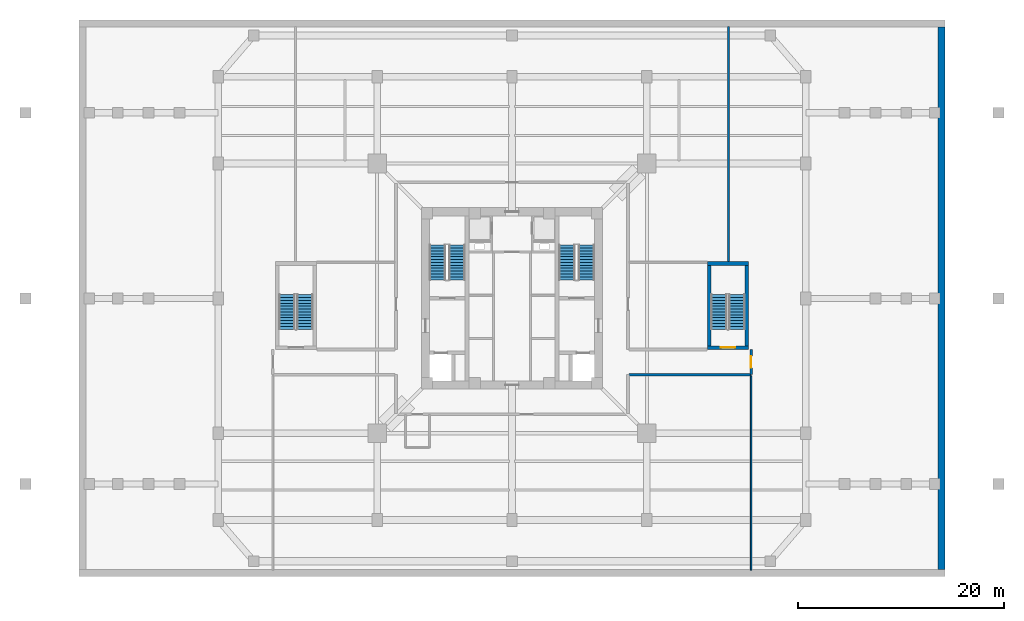
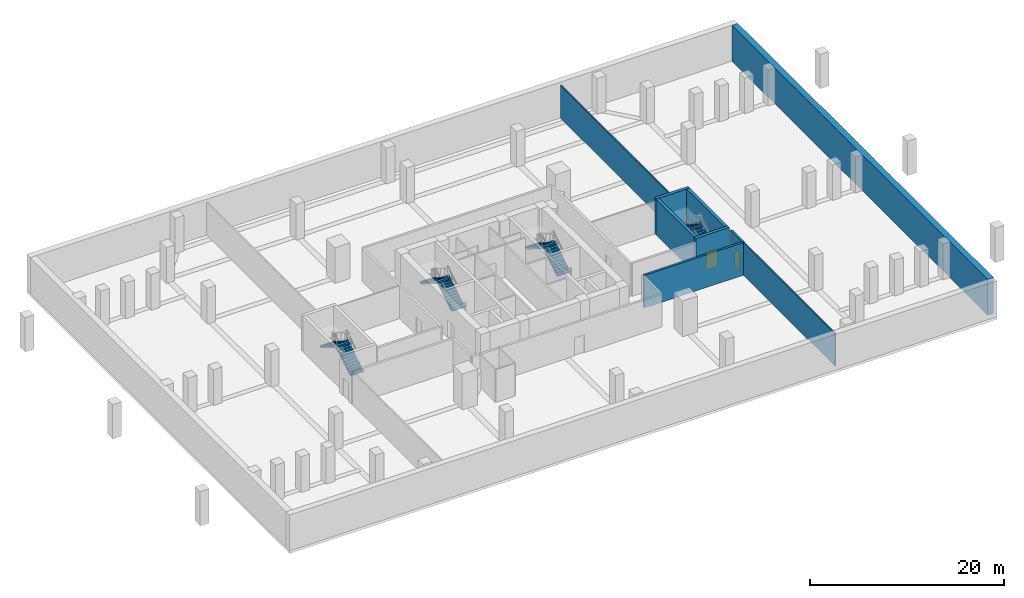
# One storey, part 5 of 9: 9 walls, 8 stair flights, 2 doors, 2 openings, 4 elements without a shape of their own.
"""IFC4 building model written with IfcOpenShell, lengths in metres."""

import ifcopenshell
import ifcopenshell.guid

model = None  # the IFC model being written
_history = None  # IfcOwnerHistory: only IFC2X3 demands one
_inside = {}  # id of a spatial element -> (the spatial element, [elements in it])
_under = {}  # id of a project, library or spatial element -> (it, [spatial elements below it])
_declared = {}  # id of a project -> (the project, [libraries it declares])
_typed = {}  # id of a type object -> (the type object, [elements of that type])
_made_of = {}  # id of a material, layer set ... -> (it, [elements and type objects made of it])


def new_model(schema):
    """Start an empty IFC model of exactly this schema.

    Asked for "IFC4X3", IfcOpenShell would pick the latest addendum, in which some entities
    have other attributes; the version numbers below select the first issue.
    IFC2X3 requires an IfcOwnerHistory on every rooted entity: one is made here for all.
    """
    global model, _history
    if schema == "IFC4X3":
        model = ifcopenshell.file(schema_version=(4, 3, 0, 0))
    else:
        model = ifcopenshell.file(schema=schema)
    _inside.clear()
    _under.clear()
    _declared.clear()
    _typed.clear()
    _made_of.clear()
    _history = None
    if model.schema == "IFC2X3":
        org = make("IfcOrganization", Name="unknown")
        user = make(
            "IfcPersonAndOrganization",
            ThePerson=make("IfcPerson", FamilyName="unknown"),
            TheOrganization=org,
        )
        app = make(
            "IfcApplication",
            ApplicationDeveloper=org,
            Version="unknown",
            ApplicationFullName="unknown",
            ApplicationIdentifier="unknown",
        )
        _history = make(
            "IfcOwnerHistory",
            OwningUser=user,
            OwningApplication=app,
            ChangeAction="ADDED",
            CreationDate=0,
        )
    return model


def make(cls, **values):
    """One entity of the class cls with the attributes given. An attribute that is None is left unset."""
    return model.create_entity(
        cls, **{name: value for name, value in values.items() if value is not None}
    )


def rooted(cls, **values):
    """An entity with a GlobalId (a new one), such as an element, a storey or a relation."""
    return make(cls, GlobalId=ifcopenshell.guid.new(), OwnerHistory=_history, **values)


def si_unit(unit_type, name, prefix=None):
    """IfcSIUnit, for example si_unit("LENGTHUNIT", "METRE", prefix="MILLI")."""
    return make("IfcSIUnit", UnitType=unit_type, Prefix=prefix, Name=name)


def assignment(units):
    """IfcUnitAssignment: the units of a project."""
    return None if units is None else make("IfcUnitAssignment", Units=units)


def point(xyz):
    """IfcCartesianPoint."""
    return None if xyz is None else make("IfcCartesianPoint", Coordinates=xyz)


def direction(xyz):
    """IfcDirection."""
    return None if xyz is None else make("IfcDirection", DirectionRatios=xyz)


def frame(location, z_axis=None, x_axis=None):
    """IfcAxis2Placement3D, a coordinate frame: its origin and axes. An axis left out is left unset."""
    return make(
        "IfcAxis2Placement3D",
        Location=point(location),
        Axis=direction(z_axis),
        RefDirection=direction(x_axis),
    )


def frame_2d(location, x_axis=None):
    """IfcAxis2Placement2D, a coordinate frame in the plane: its origin and x axis."""
    return make(
        "IfcAxis2Placement2D", Location=point(location), RefDirection=direction(x_axis)
    )


def origin():
    """The frame at (0, 0, 0) with its axes left unset."""
    return frame((0.0, 0.0, 0.0))


def place(relative_to, where):
    """IfcLocalPlacement: puts the frame where relative to a parent placement (None: the world)."""
    return make(
        "IfcLocalPlacement", PlacementRelTo=relative_to, RelativePlacement=where
    )


def context(
    kind, dimensions, precision=None, world=None, true_north=None, identifier=None
):
    """IfcGeometricRepresentationContext, for example the 3D "Model" context."""
    return make(
        "IfcGeometricRepresentationContext",
        ContextIdentifier=identifier,
        ContextType=kind,
        CoordinateSpaceDimension=dimensions,
        Precision=precision,
        WorldCoordinateSystem=world,
        TrueNorth=true_north,
    )


def subcontext(parent, identifier, kind, view, scale=None):
    """IfcGeometricRepresentationSubContext, for example "Body" below "Model"."""
    return make(
        "IfcGeometricRepresentationSubContext",
        ContextIdentifier=identifier,
        ContextType=kind,
        ParentContext=parent,
        TargetScale=scale,
        TargetView=view,
    )


def project(units=None, contexts=None):
    """IfcProject with its units and contexts."""
    return rooted(
        "IfcProject",
        Name="project",
        RepresentationContexts=contexts,
        UnitsInContext=assignment(units),
    )


def spatial(cls, under=None, at=None, **own):
    """A site, building, storey or space (cls), placed at a placement, below another one or the project."""
    s = rooted(cls, ObjectPlacement=at, **own)
    if under is not None:
        _under.setdefault(under.id(), (under, []))[1].append(s)
    return s


def polyline(points):
    """IfcPolyline through the points."""
    return make("IfcPolyline", Points=[point(p) for p in points])


def profile(cls, at=None, kind="AREA", **sizes):
    """A parametric profile (cls). Its sizes go by their IFC names, for example OverallWidth=200.0."""
    return make(cls, ProfileType=kind, Position=at, **sizes)


def rectangle(**sizes):
    """IfcRectangleProfileDef."""
    return profile("IfcRectangleProfileDef", **sizes)


def outline(outer, holes=None, kind="AREA"):
    """IfcArbitraryClosedProfileDef: a profile drawn as a closed curve; with holes, ...WithVoids."""
    if holes is None:
        return make("IfcArbitraryClosedProfileDef", ProfileType=kind, OuterCurve=outer)
    return make(
        "IfcArbitraryProfileDefWithVoids",
        ProfileType=kind,
        OuterCurve=outer,
        InnerCurves=holes,
    )


def extrude(swept, where, along, depth):
    """IfcExtrudedAreaSolid: the profile swept, set in the frame where, extruded along a direction by depth."""
    return make(
        "IfcExtrudedAreaSolid",
        SweptArea=swept,
        Position=where,
        ExtrudedDirection=direction(along),
        Depth=depth,
    )


def shape(context_of_items, identifier, shape_type, items):
    """IfcShapeRepresentation: the items that make up one representation, for example the "Body"."""
    return make(
        "IfcShapeRepresentation",
        ContextOfItems=context_of_items,
        RepresentationIdentifier=identifier,
        RepresentationType=shape_type,
        Items=items,
    )


def source(mapping_origin, context_of_items, identifier, shape_type, items):
    """IfcRepresentationMap: a shape defined once, which mapped items show again and again."""
    return make(
        "IfcRepresentationMap",
        MappingOrigin=mapping_origin,
        MappedRepresentation=shape(context_of_items, identifier, shape_type, items),
    )


def transform(
    local_origin,
    x_axis=None,
    y_axis=None,
    z_axis=None,
    scale=None,
    scale2=None,
    scale3=None,
    uniform=True,
):
    """IfcCartesianTransformationOperator3D, or its non-uniform kind. x_axis, y_axis, z_axis: its Axis1, 2, 3."""
    if uniform:
        return make(
            "IfcCartesianTransformationOperator3D",
            Axis1=direction(x_axis),
            Axis2=direction(y_axis),
            LocalOrigin=point(local_origin),
            Scale=scale,
            Axis3=direction(z_axis),
        )
    return make(
        "IfcCartesianTransformationOperator3DnonUniform",
        Axis1=direction(x_axis),
        Axis2=direction(y_axis),
        LocalOrigin=point(local_origin),
        Scale=scale,
        Axis3=direction(z_axis),
        Scale2=scale2,
        Scale3=scale3,
    )


def mapped(mapping_source, mapping_target):
    """IfcMappedItem: shows the shape of a source again, moved by a transform."""
    return make(
        "IfcMappedItem", MappingSource=mapping_source, MappingTarget=mapping_target
    )


def material(Name=None, Category=None):
    """IfcMaterial."""
    return make("IfcMaterial", Name=Name, Category=Category)


def layer(
    of_material, thickness, ventilated=None, Name=None, Category=None, Priority=None
):
    """IfcMaterialLayer: one layer of a wall or slab, of a material (None: an air gap)."""
    return make(
        "IfcMaterialLayer",
        Material=of_material,
        LayerThickness=thickness,
        IsVentilated=ventilated,
        Name=Name,
        Category=Category,
        Priority=Priority,
    )


def layer_set(layers, Name=None):
    """IfcMaterialLayerSet."""
    return make("IfcMaterialLayerSet", MaterialLayers=layers, LayerSetName=Name)


def made_of(thing, what):
    """Note that an element or type object is made of a material, layer set ...; save() writes the relation."""
    if what is not None:
        _made_of.setdefault(what.id(), (what, []))[1].append(thing)
    return thing


def type_object(cls, material=None, **own):
    """A type object (cls), such as IfcWallType, which elements share."""
    return made_of(rooted(cls, **own), material)


def element(
    cls,
    number,
    at=None,
    inside=None,
    cuts=None,
    type_object=None,
    material=None,
    context=None,
    identifier="Body",
    shape_type=None,
    held_by="IfcProductDefinitionShape",
    body=None,
    shapes=None,
    **own,
):
    """One element of the class cls, such as IfcWall. Its Tag is "e" and its number.

    at: its placement. inside: the storey or other place that contains it. cuts: it is an
    opening in that element (IfcRelVoidsElement). A single representation is given by context,
    identifier, shape_type and body (its items); several are given by shapes. held_by: the class
    of the entity that holds the representations. save() writes the other relations.
    """
    e = rooted(cls, Tag="e%d" % number, ObjectPlacement=at, **own)
    if body is not None:
        shapes = [shape(context, identifier, shape_type, body)]
    if shapes is not None:
        e.Representation = make(held_by, Representations=shapes)
    if inside is not None:
        _inside.setdefault(inside.id(), (inside, []))[1].append(e)
    if cuts is not None:
        rooted(
            "IfcRelVoidsElement", RelatingBuildingElement=cuts, RelatedOpeningElement=e
        )
    if type_object is not None:
        _typed.setdefault(type_object.id(), (type_object, []))[1].append(e)
    return made_of(e, material)


def fill(opening, filler):
    """IfcRelFillsElement: the door or window that sits in an opening."""
    return rooted(
        "IfcRelFillsElement",
        RelatingOpeningElement=opening,
        RelatedBuildingElement=filler,
    )


def aggregate(whole, parts):
    """IfcRelAggregates: a whole, such as a stair, and the parts it consists of."""
    return rooted("IfcRelAggregates", RelatingObject=whole, RelatedObjects=parts)


def save(model, path):
    """Write the relations noted so far, then the file.

    IfcRelAggregates (storeys below a building ...), IfcRelContainedInSpatialStructure (elements
    in a storey), IfcRelDefinesByType, IfcRelAssociatesMaterial and IfcRelDeclares: one each for
    every whole, place, type object, material and project.
    """
    for whole, parts in _under.values():
        aggregate(whole, parts)
    for where, things in _inside.values():
        rooted(
            "IfcRelContainedInSpatialStructure",
            RelatedElements=things,
            RelatingStructure=where,
        )
    for kind, things in _typed.values():
        rooted("IfcRelDefinesByType", RelatedObjects=things, RelatingType=kind)
    for what, things in _made_of.values():
        rooted("IfcRelAssociatesMaterial", RelatedObjects=things, RelatingMaterial=what)
    for by, libraries in _declared.values():
        rooted("IfcRelDeclares", RelatingContext=by, RelatedDefinitions=libraries)
    model.write(path)


model = new_model("IFC4")

# Units and contexts
model_context = context("Model", 3, precision=1e-05, world=origin(), true_north=direction((0.0, 1.0)))
body_context = subcontext(model_context, "Body", "Model", "MODEL_VIEW")
ifc_project = project(units=[si_unit("LENGTHUNIT", "METRE"), si_unit("AREAUNIT", "SQUARE_METRE"), si_unit("VOLUMEUNIT", "CUBIC_METRE"), si_unit("PLANEANGLEUNIT", "RADIAN"), si_unit("MASSUNIT", "GRAM", prefix="KILO"), si_unit("THERMODYNAMICTEMPERATUREUNIT", "KELVIN")], contexts=[model_context])

# Site, building, storey
site_placement = place(None, origin())
site = spatial("IfcSite", under=ifc_project, at=site_placement, CompositionType="ELEMENT")
building_placement = place(site_placement, origin())
building = spatial("IfcBuilding", under=site, at=building_placement, Name="Kosmvard Interchange Tower", CompositionType="ELEMENT")
storey_placement = place(building_placement, frame((0.0, 0.0, -4.5)))
storey = spatial("IfcBuildingStorey", under=building, at=storey_placement, Name="B01", CompositionType="ELEMENT", Elevation=-4.5)

# Walls
ifc_material_1 = material(Name="Acoustic gypsum partition system")
ifc_layer_1 = layer(ifc_material_1, 0.14990234375, Name="Acoustic gypsum partition system")
ifc_layer_set_1 = layer_set([ifc_layer_1], Name="Acoustic gypsum partition system")
wall_type_1 = type_object("IfcWallType", Name="Acoustic Suite & Meeting Partition 150", PredefinedType="PARTITIONING", material=ifc_layer_set_1)
wall_1_placement = place(storey_placement, frame((23.199951171875, -26.364990234375, 0.0), z_axis=(0.0, 0.0, 1.0), x_axis=(0.0, 1.0, 0.0)))
element("IfcWall", 1, at=wall_1_placement, inside=storey, type_object=wall_type_1, Name="B01 Room Partition 03.1", PredefinedType="PARTITIONING", context=body_context, shape_type="SweptSolid", body=[
    extrude(rectangle(XDim=18.8349609375, YDim=0.14990234375, at=frame_2d((9.41748046875, 0.0))), origin(), (0.0, 0.0, 1.0), 4.10009765625),
])
wall_2_placement = place(storey_placement, frame((21.0, 3.56005859375, 0.0), z_axis=(0.0, 0.0, 1.0), x_axis=(0.0, 1.0, 0.0)))
element("IfcWall", 2, at=wall_2_placement, inside=storey, type_object=wall_type_1, Name="B01 Room Partition 04.1", PredefinedType="PARTITIONING", context=body_context, shape_type="SweptSolid", body=[
    extrude(rectangle(XDim=22.804931640625, YDim=0.14990234375, at=frame_2d((11.40234375, 0.0))), origin(), (0.0, 0.0, 1.0), 4.10009765625),
])
ifc_material_2 = material(Name="Concrete C50/60", Category="concrete")
ifc_layer_2 = layer(ifc_material_2, 0.699951171875, Name="Concrete C50/60")
ifc_layer_set_2 = layer_set([ifc_layer_2], Name="Concrete C50/60")
wall_type_2 = type_object("IfcWallType", Name="Basement Perimeter Retaining Wall 700 C50/60", PredefinedType="USERDEFINED", material=ifc_layer_set_2)
wall_3_placement = place(storey_placement, frame((41.64990234375, -26.300048828125, 0.0), z_axis=(0.0, 0.0, 1.0), x_axis=(0.0, 1.0, 0.0)))
element("IfcWall", 3, at=wall_3_placement, inside=storey, type_object=wall_type_2, Name="B01 Basement Retaining Wall RW-E", ObjectType="RETAINING", PredefinedType="USERDEFINED", context=body_context, shape_type="SweptSolid", body=[
    extrude(rectangle(XDim=52.60009765625, YDim=0.699951171875, at=frame_2d((26.300048828125, 0.0))), origin(), (0.0, 0.0, 1.0), 4.5),
])
ifc_material_3 = material(Name="Concrete blockwork masonry", Category="masonry")
ifc_layer_3 = layer(ifc_material_3, 0.25, Name="Concrete blockwork masonry")
ifc_layer_set_3 = layer_set([ifc_layer_3], Name="Concrete blockwork masonry")
wall_type_3 = type_object("IfcWallType", Name="Exit Passage & Firefighting Lobby Wall 250", PredefinedType="PARTITIONING", material=ifc_layer_set_3)
wall_4_placement = place(storey_placement, frame((11.35009765625, -7.39990234375, 0.0), z_axis=(0.0, 0.0, 1.0), x_axis=(1.0, 0.0, 0.0)))
element("IfcWall", 4, at=wall_4_placement, inside=storey, type_object=wall_type_3, Name="B01 Corridor Wall SES", PredefinedType="PARTITIONING", context=body_context, shape_type="SweptSolid", body=[
    extrude(rectangle(XDim=11.849853515625, YDim=0.25, at=frame_2d((5.9248046875, 0.0))), origin(), (0.0, 0.0, 1.0), 4.10009765625),
])

# Wall, opening, door
wall_5_placement = place(storey_placement, frame((23.199951171875, -7.39990234375, 0.0), z_axis=(0.0, 0.0, 1.0), x_axis=(0.0, 1.0, 0.0)))
wall_5 = element("IfcWall", 5, at=wall_5_placement, inside=storey, type_object=wall_type_3, Name="B01 Corridor Wall SEE", PredefinedType="PARTITIONING", context=body_context, shape_type="SweptSolid", body=[
    extrude(rectangle(XDim=2.43994140625, YDim=0.25, at=frame_2d((1.219970703125, 0.0))), origin(), (0.0, 0.0, 1.0), 4.10009765625),
])
opening_1_placement = place(wall_5_placement, frame((0.64501953125, 0.0, 0.0)))
opening_1 = element("IfcOpeningElement", 6, at=opening_1_placement, cuts=wall_5, Name="Opening B01-D05", PredefinedType="OPENING", context=body_context, shape_type="SweptSolid", body=[
    extrude(rectangle(XDim=1.14990234375, YDim=2.25, at=frame_2d((0.574951171875, 1.125))), frame((0.0, 0.135009765625, 0.0), z_axis=(0.0, -1.0, 0.0), x_axis=(1.0, 0.0, 0.0)), (0.0, 0.0, 1.0), 0.27001953125),
])
ifc_material_4 = material(Name="Painted fire-rated steel leaf", Category="steel")
door_type_1 = type_object("IfcDoorType", Name="Plant & Riser Fire Door 1150x2250 EI60", OperationType="NOTDEFINED", PredefinedType="DOOR", material=ifc_material_4)
shared_shape_1 = source(origin(), body_context, "Body", "SweptSolid", [
    extrude(rectangle(XDim=1.14990234375, YDim=2.25, at=frame_2d((0.574951171875, 1.125))), frame((0.0, 0.02490234375, 0.0), z_axis=(0.0, -1.0, 0.0), x_axis=(1.0, 0.0, 0.0)), (0.0, 0.0, 1.0), 0.050048828125),
])
door_1_placement = place(opening_1_placement, frame((1.14990234375, 0.0, 0.0), z_axis=(0.0, 0.0, 1.0), x_axis=(-1.0, 0.0, 0.0)))
door_1 = element("IfcDoor", 7, at=door_1_placement, inside=storey, type_object=door_type_1, Name="B01 Central Chiller Plant Room Door", OperationType="SINGLE_SWING_LEFT", OverallHeight=2.25, OverallWidth=1.14990234375, PredefinedType="DOOR", context=body_context, shape_type="MappedRepresentation", body=[
    mapped(shared_shape_1, transform((0.0, 0.0, 0.0), scale=1.0)),
])
fill(opening_1, door_1)

ifc_material_5 = material(Name="Concrete C60/75", Category="concrete")
ifc_layer_4 = layer(ifc_material_5, 0.360107421875, Name="Concrete C60/75")
ifc_layer_set_4 = layer_set([ifc_layer_4], Name="Concrete C60/75")
wall_type_4 = type_object("IfcWallType", Name="Stair & Lift Shaft Shear Wall 360 C60/75", PredefinedType="SHEAR", material=ifc_layer_set_4)
wall_6_placement = place(storey_placement, frame((18.9599609375, -4.780029296875, 0.0), z_axis=(0.0, 0.0, 1.0), x_axis=(1.0, 0.0, 0.0)))
wall_6 = element("IfcWall", 8, at=wall_6_placement, inside=storey, type_object=wall_type_4, Name="B01 Podium Stair Shear Wall ST4S", PredefinedType="SHEAR", context=body_context, shape_type="SweptSolid", body=[
    extrude(rectangle(XDim=3.97998046875, YDim=0.360107421875, at=frame_2d((1.989990234375, 0.0))), origin(), (0.0, 0.0, 1.0), 4.5),
])
opening_2_placement = place(wall_6_placement, frame((1.2900390625, 0.0, 0.0)))
opening_2 = element("IfcOpeningElement", 9, at=opening_2_placement, cuts=wall_6, Name="Opening B01-SD4", PredefinedType="OPENING", context=body_context, shape_type="SweptSolid", body=[
    extrude(rectangle(XDim=1.39990234375, YDim=2.199951171875, at=frame_2d((0.699951171875, 1.10009765625))), frame((0.0, 0.18994140625, 0.0), z_axis=(0.0, -1.0, 0.0), x_axis=(1.0, 0.0, 0.0)), (0.0, 0.0, 1.0), 0.380126953125),
])
door_type_2 = type_object("IfcDoorType", Name="Protected Stair Door 1400x2200 FD60S", OperationType="NOTDEFINED", PredefinedType="DOOR", material=ifc_material_4)
shared_shape_2 = source(origin(), body_context, "Body", "SweptSolid", [
    extrude(rectangle(XDim=1.39990234375, YDim=2.199951171875, at=frame_2d((0.699951171875, 1.10009765625))), frame((0.0, 0.02490234375, 0.0), z_axis=(0.0, -1.0, 0.0), x_axis=(1.0, 0.0, 0.0)), (0.0, 0.0, 1.0), 0.050048828125),
])
door_2_placement = place(opening_2_placement, origin())
door_2 = element("IfcDoor", 10, at=door_2_placement, inside=storey, type_object=door_type_2, Name="B01 Podium Stair ST4 Door", OperationType="SINGLE_SWING_RIGHT", OverallHeight=2.199951171875, OverallWidth=1.39990234375, PredefinedType="DOOR", context=body_context, shape_type="MappedRepresentation", body=[
    mapped(shared_shape_2, transform((0.0, 0.0, 0.0), scale=1.0)),
])
fill(opening_2, door_2)

# Walls
wall_7_placement = place(storey_placement, frame((18.9599609375, 3.3798828125, 0.0), z_axis=(0.0, 0.0, 1.0), x_axis=(1.0, 0.0, 0.0)))
element("IfcWall", 11, at=wall_7_placement, inside=storey, type_object=wall_type_4, Name="B01 Podium Stair Shear Wall ST4N", PredefinedType="SHEAR", context=body_context, shape_type="SweptSolid", body=[
    extrude(rectangle(XDim=3.97998046875, YDim=0.360107421875, at=frame_2d((1.989990234375, 0.0))), origin(), (0.0, 0.0, 1.0), 4.5),
])
for number, where, z_axis, x_axis, name in (
    (12, (19.139892578125, -4.60009765625, 0.0), (0.0, 0.0, 1.0), (0.0, 1.0, 0.0), "B01 Podium Stair Shear Wall ST4W"),
    (13, (22.760009765625, -4.60009765625, 0.0), (0.0, 0.0, 1.0), (0.0, 1.0, 0.0), "B01 Podium Stair Shear Wall ST4E"),
):
    element("IfcWall", number, at=place(storey_placement, frame(where, z_axis=z_axis, x_axis=x_axis)), inside=storey, type_object=wall_type_4, Name=name, PredefinedType="SHEAR", context=body_context, shape_type="SweptSolid", body=[
        extrude(rectangle(XDim=7.800048828125, YDim=0.360107421875, at=frame_2d((3.89990234375, 0.0))), origin(), (0.0, 0.0, 1.0), 4.5),
    ])

# Stair, stair flights
stair_type = type_object("IfcStairType", Name="Dog-Leg Core Exit Stair H4500 C50/60", PredefinedType="HALF_TURN_STAIR", material=ifc_material_2)
stair_1_placement = place(storey_placement, origin())
stair_1 = element("IfcStair", 14, at=stair_1_placement, inside=storey, type_object=stair_type, Name="B01 Protected Exit Stair ST-1", PredefinedType="HALF_TURN_STAIR")
stair_flight_type = type_object("IfcStairFlightType", Name="Core Stair Flight W1550 H4500 C50/60", PredefinedType="STRAIGHT", material=ifc_material_2)
shared_shape_3 = source(origin(), body_context, "Body", "SweptSolid", [
    extrude(outline(polyline([(0.0, 0.0), (0.0, 0.173095703125), (0.280029296875, 0.173095703125), (0.280029296875, 0.34619140625), (0.56005859375, 0.34619140625), (0.56005859375, 0.519287109375), (0.840087890625, 0.519287109375), (0.840087890625, 0.6923828125), (1.1201171875, 0.6923828125), (1.1201171875, 0.865478515625), (1.39990234375, 0.865478515625), (1.39990234375, 1.03857421875), (1.679931640625, 1.03857421875), (1.679931640625, 1.21142578125), (1.9599609375, 1.21142578125), (1.9599609375, 1.384521484375), (2.239990234375, 1.384521484375), (2.239990234375, 1.5576171875), (2.52001953125, 1.5576171875), (2.52001953125, 1.730712890625), (2.800048828125, 1.730712890625), (2.800048828125, 1.90380859375), (3.080078125, 1.90380859375), (3.080078125, 2.076904296875), (3.360107421875, 2.076904296875), (3.360107421875, 2.25), (3.360107421875, 1.888916015625), (0.30419921875, 0.0), (0.0, 0.0)])), frame((0.0, 0.77490234375, 0.0), z_axis=(0.0, -1.0, 0.0), x_axis=(1.0, 0.0, 0.0)), (0.0, 0.0, 1.0), 1.550048828125),
])
stair_flight_1_placement = place(storey_placement, frame((-5.31494140625, 1.800048828125, 0.0), z_axis=(0.0, 0.0, 1.0), x_axis=(0.0, 1.0, 0.0)))
stair_flight_1 = element("IfcStairFlight", 15, at=stair_flight_1_placement, type_object=stair_flight_type, Name="ST-1 flight 1", NumberOfRisers=13, NumberOfTreads=12, PredefinedType="STRAIGHT", RiserHeight=0.173076923, TreadLength=0.28, context=body_context, shape_type="MappedRepresentation", body=[
    mapped(shared_shape_3, transform((0.0, 0.0, 0.0), scale=1.0)),
])
stair_flight_2_placement = place(storey_placement, frame((-7.22509765625, 5.159912109375, 2.25), z_axis=(0.0, 0.0, 1.0), x_axis=(0.0, -1.0, 0.0)))
stair_flight_2 = element("IfcStairFlight", 16, at=stair_flight_2_placement, type_object=stair_flight_type, Name="ST-1 flight 2", NumberOfRisers=13, NumberOfTreads=12, PredefinedType="STRAIGHT", RiserHeight=0.173076923, TreadLength=0.28, context=body_context, shape_type="MappedRepresentation", body=[
    mapped(shared_shape_3, transform((0.0, 0.0, 0.0), scale=1.0)),
])
aggregate(stair_1, [stair_flight_1, stair_flight_2])

stair_2_placement = place(storey_placement, origin())
stair_2 = element("IfcStair", 17, at=stair_2_placement, inside=storey, type_object=stair_type, Name="B01 Protected Exit Stair ST-2", PredefinedType="HALF_TURN_STAIR")
stair_flight_3_placement = place(storey_placement, frame((7.22509765625, 1.800048828125, 0.0), z_axis=(0.0, 0.0, 1.0), x_axis=(0.0, 1.0, 0.0)))
stair_flight_3 = element("IfcStairFlight", 18, at=stair_flight_3_placement, type_object=stair_flight_type, Name="ST-2 flight 1", NumberOfRisers=13, NumberOfTreads=12, PredefinedType="STRAIGHT", RiserHeight=0.173076923, TreadLength=0.28, context=body_context, shape_type="MappedRepresentation", body=[
    mapped(shared_shape_3, transform((0.0, 0.0, 0.0), scale=1.0)),
])
stair_flight_4_placement = place(storey_placement, frame((5.31494140625, 5.159912109375, 2.25), z_axis=(0.0, 0.0, 1.0), x_axis=(0.0, -1.0, 0.0)))
stair_flight_4 = element("IfcStairFlight", 19, at=stair_flight_4_placement, type_object=stair_flight_type, Name="ST-2 flight 2", NumberOfRisers=13, NumberOfTreads=12, PredefinedType="STRAIGHT", RiserHeight=0.173076923, TreadLength=0.28, context=body_context, shape_type="MappedRepresentation", body=[
    mapped(shared_shape_3, transform((0.0, 0.0, 0.0), scale=1.0)),
])
aggregate(stair_2, [stair_flight_3, stair_flight_4])

stair_3_placement = place(storey_placement, origin())
stair_3 = element("IfcStair", 20, at=stair_3_placement, inside=storey, type_object=stair_type, Name="B01 Podium Concourse Stair ST-3", PredefinedType="HALF_TURN_STAIR")
stair_flight_5_placement = place(storey_placement, frame((-20.094970703125, -3.0, 0.0), z_axis=(0.0, 0.0, 1.0), x_axis=(0.0, 1.0, 0.0)))
stair_flight_5 = element("IfcStairFlight", 21, at=stair_flight_5_placement, type_object=stair_flight_type, Name="ST-3 flight 1", NumberOfRisers=13, NumberOfTreads=12, PredefinedType="STRAIGHT", RiserHeight=0.173076923, TreadLength=0.28, context=body_context, shape_type="MappedRepresentation", body=[
    mapped(shared_shape_3, transform((0.0, 0.0, 0.0), scale=1.0)),
])
stair_flight_6_placement = place(storey_placement, frame((-21.804931640625, 0.360107421875, 2.25), z_axis=(0.0, 0.0, 1.0), x_axis=(0.0, -1.0, 0.0)))
stair_flight_6 = element("IfcStairFlight", 22, at=stair_flight_6_placement, type_object=stair_flight_type, Name="ST-3 flight 2", NumberOfRisers=13, NumberOfTreads=12, PredefinedType="STRAIGHT", RiserHeight=0.173076923, TreadLength=0.28, context=body_context, shape_type="MappedRepresentation", body=[
    mapped(shared_shape_3, transform((0.0, 0.0, 0.0), scale=1.0)),
])
aggregate(stair_3, [stair_flight_5, stair_flight_6])

stair_4_placement = place(storey_placement, origin())
stair_4 = element("IfcStair", 23, at=stair_4_placement, inside=storey, type_object=stair_type, Name="B01 Podium Concourse Stair ST-4", PredefinedType="HALF_TURN_STAIR")
stair_flight_7_placement = place(storey_placement, frame((21.804931640625, -3.0, 0.0), z_axis=(0.0, 0.0, 1.0), x_axis=(0.0, 1.0, 0.0)))
stair_flight_7 = element("IfcStairFlight", 24, at=stair_flight_7_placement, type_object=stair_flight_type, Name="ST-4 flight 1", NumberOfRisers=13, NumberOfTreads=12, PredefinedType="STRAIGHT", RiserHeight=0.173076923, TreadLength=0.28, context=body_context, shape_type="MappedRepresentation", body=[
    mapped(shared_shape_3, transform((0.0, 0.0, 0.0), scale=1.0)),
])
stair_flight_8_placement = place(storey_placement, frame((20.094970703125, 0.360107421875, 2.25), z_axis=(0.0, 0.0, 1.0), x_axis=(0.0, -1.0, 0.0)))
stair_flight_8 = element("IfcStairFlight", 25, at=stair_flight_8_placement, type_object=stair_flight_type, Name="ST-4 flight 2", NumberOfRisers=13, NumberOfTreads=12, PredefinedType="STRAIGHT", RiserHeight=0.173076923, TreadLength=0.28, context=body_context, shape_type="MappedRepresentation", body=[
    mapped(shared_shape_3, transform((0.0, 0.0, 0.0), scale=1.0)),
])
aggregate(stair_4, [stair_flight_7, stair_flight_8])

save(model, "model.ifc")
